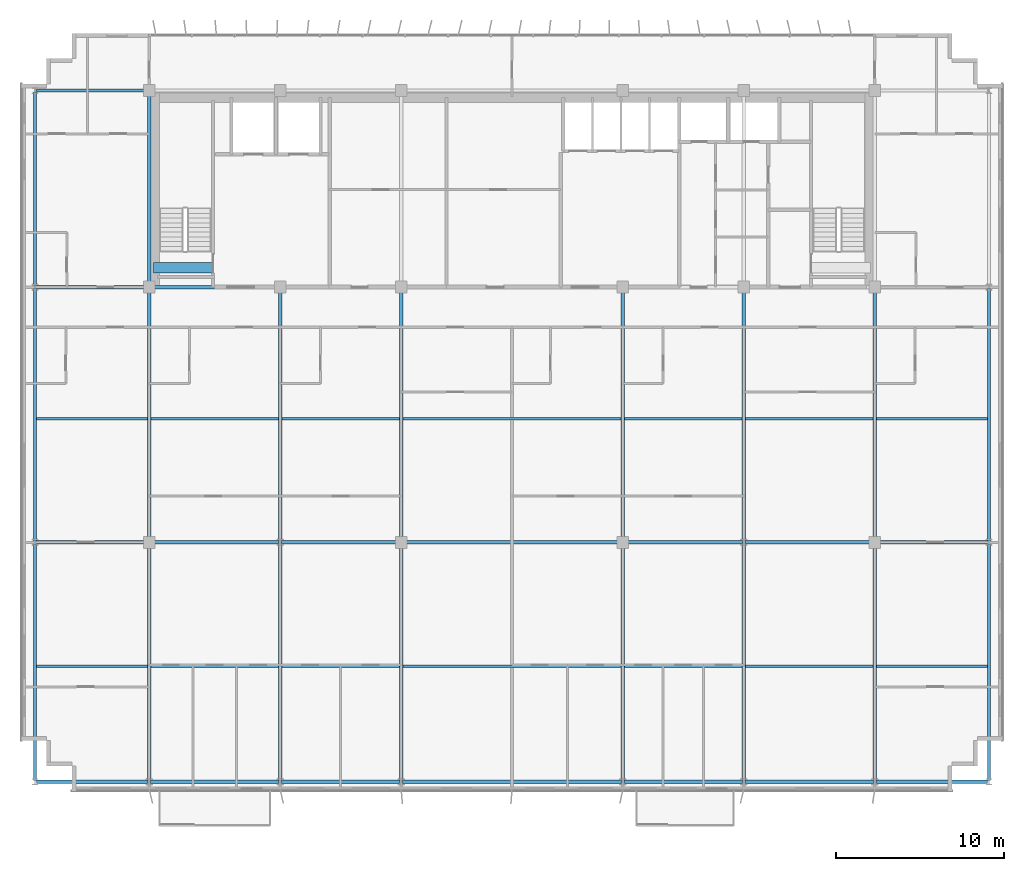
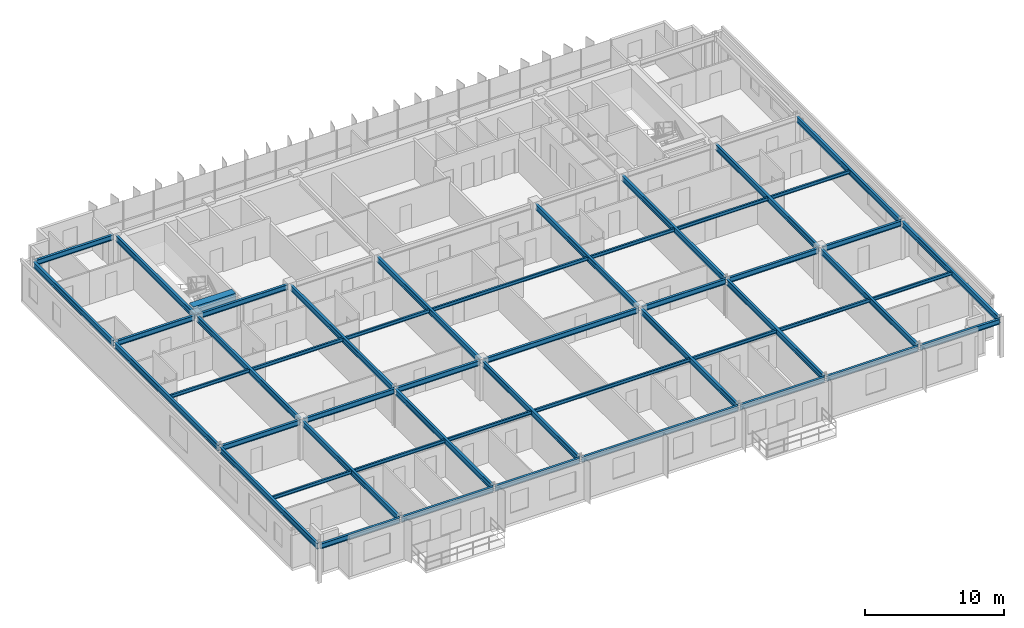
# One storey, part 5 of 23: 50 beams.
"""IFC4 building model written with IfcOpenShell, lengths in metres."""

from ifc_helpers import new_model, si_unit, direction, frame, origin, origin_2d, place, context, subcontext, project, spatial, rectangle, i_section, extrude, source, transform, mapped, material, material_profile, profile_set, type_object, element, save


model = new_model("IFC4")

# Units and contexts
model_context = context("Model", 3, precision=1e-05, world=origin(), true_north=direction((0.0, 1.0)))
body_context = subcontext(model_context, "Body", "Model", "MODEL_VIEW")
ifc_project = project(units=[si_unit("LENGTHUNIT", "METRE"), si_unit("AREAUNIT", "SQUARE_METRE"), si_unit("VOLUMEUNIT", "CUBIC_METRE"), si_unit("PLANEANGLEUNIT", "RADIAN"), si_unit("MASSUNIT", "GRAM", prefix="KILO")], contexts=[model_context])

# Site, building, storey
site_placement = place(None, origin())
site = spatial("IfcSite", under=ifc_project, at=site_placement, CompositionType="ELEMENT")
building_placement = place(site_placement, origin())
building = spatial("IfcBuilding", under=site, at=building_placement, Name="Trelvane Seafront Commons", CompositionType="ELEMENT")
storey_placement = place(building_placement, frame((0.0, 0.0, 222.89990234375)))
storey = spatial("IfcBuildingStorey", under=building, at=storey_placement, Name="L58", CompositionType="ELEMENT", Elevation=222.89990234375)

# Beams
ifc_material_1 = material(Name="Concrete C60/75", Category="concrete")
ifc_material_profile_1 = material_profile(ifc_material_1, rectangle(XDim=0.60009765625, YDim=0.89990234375, at=origin_2d()), Name="RC-600x900")
ifc_profile_set_1 = profile_set([ifc_material_profile_1], Name="Concrete C60/75")
beam_type_1 = type_object("IfcBeamType", Name="STR-LNT-RC600x900", PredefinedType="LINTEL", material=ifc_profile_set_1)
shared_shape_1 = source(origin(), body_context, "Body", "SweptSolid", [
    extrude(rectangle(XDim=0.60009765625, YDim=0.89990234375, at=origin_2d()), origin(), (0.0, 0.0, 1.0), 3.5498046875),
])
beam_1_placement = place(storey_placement, frame((15.85009765625, 34.550048828125, 2.91015625), z_axis=(1.0, 0.0, 0.0), x_axis=(0.0, 1.0, 0.0)))
element("IfcBeam", 1, at=beam_1_placement, inside=storey, type_object=beam_type_1, Name="L58 Core Coupling Lintel Beam CB-67", PredefinedType="LINTEL", context=body_context, shape_type="MappedRepresentation", body=[
    mapped(shared_shape_1, transform((0.0, 0.0, 0.0), x_axis=(1.0, 0.0, 0.0), y_axis=(0.0, 1.0, 0.0), z_axis=(0.0, 0.0, 1.0), scale=1.0)),
])
ifc_material_2 = material(Name="Steel SM355 (S355)", Category="steel")
ifc_material_profile_2 = material_profile(ifc_material_2, i_section(OverallWidth=0.199951171875, OverallDepth=0.5, WebThickness=0.010009765625, FlangeThickness=0.01611328125, at=origin_2d()), Name="H-500x200x10x16")
ifc_profile_set_2 = profile_set([ifc_material_profile_2], Name="Steel SM355 (S355)")
beam_type_2 = type_object("IfcBeamType", Name="STR-BM-H500", PredefinedType="BEAM", material=ifc_profile_set_2)
shared_shape_2 = source(origin(), body_context, "Body", "SweptSolid", [
    extrude(i_section(OverallWidth=0.199951171875, OverallDepth=0.5, WebThickness=0.010009765625, FlangeThickness=0.01611328125, at=origin_2d()), origin(), (0.0, 0.0, 1.0), 14.89990234375),
])
for number, where, z_axis, x_axis, name in (
    (2, (15.60009765625, 18.35009765625, 3.110107421875), (0.0, 1.0, 0.0), (-1.0, 0.0, 0.0), "L58 Primary Girder G-33"),
    (3, (30.60009765625, 18.35009765625, 3.110107421875), (0.0, 1.0, 0.0), (-1.0, 0.0, 0.0), "L58 Primary Girder G-39"),
    (4, (43.800048828125, 18.35009765625, 3.110107421875), (0.0, 1.0, 0.0), (-1.0, 0.0, 0.0), "L58 Primary Girder G-42"),
    (5, (58.800048828125, 18.35009765625, 3.110107421875), (0.0, 1.0, 0.0), (-1.0, 0.0, 0.0), "L58 Primary Girder G-48"),
):
    element("IfcBeam", number, at=place(storey_placement, frame(where, z_axis=z_axis, x_axis=x_axis)), inside=storey, type_object=beam_type_2, Name=name, PredefinedType="BEAM", context=body_context, shape_type="MappedRepresentation", body=[
        mapped(shared_shape_2, transform((0.0, 0.0, 0.0), x_axis=(1.0, 0.0, 0.0), y_axis=(0.0, 1.0, 0.0), z_axis=(0.0, 0.0, 1.0), scale=1.0)),
    ])
shared_shape_3 = source(origin(), body_context, "Body", "SweptSolid", [
    extrude(i_section(OverallWidth=0.199951171875, OverallDepth=0.5, WebThickness=0.010009765625, FlangeThickness=0.01611328125, at=origin_2d()), origin(), (0.0, 0.0, 1.0), 11.39990234375),
])
beam_2_placement = place(storey_placement, frame((15.60009765625, 33.550048828125, 3.110107421875), z_axis=(0.0, 1.0, 0.0), x_axis=(-1.0, 0.0, 0.0)))
element("IfcBeam", 6, at=beam_2_placement, inside=storey, type_object=beam_type_2, Name="L58 Primary Girder G-34", PredefinedType="BEAM", context=body_context, shape_type="MappedRepresentation", body=[
    mapped(shared_shape_3, transform((0.0, 0.0, 0.0), x_axis=(1.0, 0.0, 0.0), y_axis=(0.0, 1.0, 0.0), z_axis=(0.0, 0.0, 1.0), scale=1.0)),
])
ifc_material_profile_3 = material_profile(ifc_material_2, i_section(OverallWidth=0.199951171875, OverallDepth=0.449951171875, WebThickness=0.009033203125, FlangeThickness=0.013916015625, at=origin_2d()), Name="H-450x200x9x14")
ifc_profile_set_3 = profile_set([ifc_material_profile_3], Name="Steel SM355 (S355)")
beam_type_3 = type_object("IfcBeamType", Name="STR-SPD-H450", PredefinedType="SPANDREL", material=ifc_profile_set_3)
shared_shape_4 = source(origin(), body_context, "Body", "SweptSolid", [
    extrude(i_section(OverallWidth=0.199951171875, OverallDepth=0.449951171875, WebThickness=0.009033203125, FlangeThickness=0.013916015625, at=origin_2d()), origin(), (0.0, 0.0, 1.0), 6.625),
])
for number, where, z_axis, x_axis, name in (
    (7, (8.887451171875, 3.949951171875, 3.135009765625), (1.0, 0.0, 0.0), (0.0, 1.0, 0.0), "L58 Primary Girder G-01"),
    (8, (58.887451171875, 3.949951171875, 3.135009765625), (1.0, 0.0, 0.0), (0.0, 1.0, 0.0), "L58 Primary Girder G-07"),
):
    element("IfcBeam", number, at=place(storey_placement, frame(where, z_axis=z_axis, x_axis=x_axis)), inside=storey, type_object=beam_type_3, Name=name, PredefinedType="SPANDREL", context=body_context, shape_type="MappedRepresentation", body=[
        mapped(shared_shape_4, transform((0.0, 0.0, 0.0), x_axis=(1.0, 0.0, 0.0), y_axis=(0.0, 1.0, 0.0), z_axis=(0.0, 0.0, 1.0), scale=1.0)),
    ])
shared_shape_5 = source(origin(), body_context, "Body", "SweptSolid", [
    extrude(i_section(OverallWidth=0.199951171875, OverallDepth=0.449951171875, WebThickness=0.009033203125, FlangeThickness=0.013916015625, at=origin_2d()), origin(), (0.0, 0.0, 1.0), 7.625),
])
for number, where, z_axis, x_axis, name in (
    (9, (15.6875, 3.949951171875, 3.135009765625), (1.0, 0.0, 0.0), (0.0, 1.0, 0.0), "L58 Primary Girder G-02"),
    (10, (51.08740234375, 3.949951171875, 3.135009765625), (1.0, 0.0, 0.0), (0.0, 1.0, 0.0), "L58 Primary Girder G-06"),
):
    element("IfcBeam", number, at=place(storey_placement, frame(where, z_axis=z_axis, x_axis=x_axis)), inside=storey, type_object=beam_type_3, Name=name, PredefinedType="SPANDREL", context=body_context, shape_type="MappedRepresentation", body=[
        mapped(shared_shape_5, transform((0.0, 0.0, 0.0), x_axis=(1.0, 0.0, 0.0), y_axis=(0.0, 1.0, 0.0), z_axis=(0.0, 0.0, 1.0), scale=1.0)),
    ])
shared_shape_6 = source(origin(), body_context, "Body", "SweptSolid", [
    extrude(i_section(OverallWidth=0.199951171875, OverallDepth=0.449951171875, WebThickness=0.009033203125, FlangeThickness=0.013916015625, at=origin_2d()), origin(), (0.0, 0.0, 1.0), 7.02490234375),
])
beam_3_placement = place(storey_placement, frame((23.487548828125, 3.949951171875, 3.135009765625), z_axis=(1.0, 0.0, 0.0), x_axis=(0.0, 1.0, 0.0)))
element("IfcBeam", 11, at=beam_3_placement, inside=storey, type_object=beam_type_3, Name="L58 Primary Girder G-03", PredefinedType="SPANDREL", context=body_context, shape_type="MappedRepresentation", body=[
    mapped(shared_shape_6, transform((0.0, 0.0, 0.0), x_axis=(1.0, 0.0, 0.0), y_axis=(0.0, 1.0, 0.0), z_axis=(0.0, 0.0, 1.0), scale=1.0)),
])
shared_shape_7 = source(origin(), body_context, "Body", "SweptSolid", [
    extrude(i_section(OverallWidth=0.199951171875, OverallDepth=0.449951171875, WebThickness=0.009033203125, FlangeThickness=0.013916015625, at=origin_2d()), origin(), (0.0, 0.0, 1.0), 7.025146484375),
])
beam_4_placement = place(storey_placement, frame((43.887451171875, 3.949951171875, 3.135009765625), z_axis=(1.0, 0.0, 0.0), x_axis=(0.0, 1.0, 0.0)))
element("IfcBeam", 12, at=beam_4_placement, inside=storey, type_object=beam_type_3, Name="L58 Primary Girder G-05", PredefinedType="SPANDREL", context=body_context, shape_type="MappedRepresentation", body=[
    mapped(shared_shape_7, transform((0.0, 0.0, 0.0), x_axis=(1.0, 0.0, 0.0), y_axis=(0.0, 1.0, 0.0), z_axis=(0.0, 0.0, 1.0), scale=1.0)),
])
shared_shape_8 = source(origin(), body_context, "Body", "SweptSolid", [
    extrude(i_section(OverallWidth=0.199951171875, OverallDepth=0.449951171875, WebThickness=0.009033203125, FlangeThickness=0.013916015625, at=origin_2d()), origin(), (0.0, 0.0, 1.0), 6.5625),
])
for number, where, z_axis, x_axis, name in (
    (13, (8.887451171875, 18.199951171875, 3.135009765625), (1.0, 0.0, 0.0), (0.0, 1.0, 0.0), "L58 Primary Girder G-08"),
    (14, (58.949951171875, 18.199951171875, 3.135009765625), (1.0, 0.0, 0.0), (0.0, 1.0, 0.0), "L58 Primary Girder G-14"),
    (15, (8.887451171875, 33.39990234375, 3.135009765625), (1.0, 0.0, 0.0), (0.0, 1.0, 0.0), "L58 Primary Girder G-15"),
    (16, (8.887451171875, 45.10009765625, 3.135009765625), (1.0, 0.0, 0.0), (0.0, 1.0, 0.0), "L58 Primary Girder G-22"),
):
    element("IfcBeam", number, at=place(storey_placement, frame(where, z_axis=z_axis, x_axis=x_axis)), inside=storey, type_object=beam_type_3, Name=name, PredefinedType="SPANDREL", context=body_context, shape_type="MappedRepresentation", body=[
        mapped(shared_shape_8, transform((0.0, 0.0, 0.0), x_axis=(1.0, 0.0, 0.0), y_axis=(0.0, 1.0, 0.0), z_axis=(0.0, 0.0, 1.0), scale=1.0)),
    ])
shared_shape_9 = source(origin(), body_context, "Body", "SweptSolid", [
    extrude(i_section(OverallWidth=0.199951171875, OverallDepth=0.449951171875, WebThickness=0.009033203125, FlangeThickness=0.013916015625, at=origin_2d()), origin(), (0.0, 0.0, 1.0), 7.5625),
])
for number, where, z_axis, x_axis, name in (
    (17, (15.75, 18.199951171875, 3.135009765625), (1.0, 0.0, 0.0), (0.0, 1.0, 0.0), "L58 Primary Girder G-09"),
    (18, (51.08740234375, 18.199951171875, 3.135009765625), (1.0, 0.0, 0.0), (0.0, 1.0, 0.0), "L58 Primary Girder G-13"),
):
    element("IfcBeam", number, at=place(storey_placement, frame(where, z_axis=z_axis, x_axis=x_axis)), inside=storey, type_object=beam_type_3, Name=name, PredefinedType="SPANDREL", context=body_context, shape_type="MappedRepresentation", body=[
        mapped(shared_shape_9, transform((0.0, 0.0, 0.0), x_axis=(1.0, 0.0, 0.0), y_axis=(0.0, 1.0, 0.0), z_axis=(0.0, 0.0, 1.0), scale=1.0)),
    ])
shared_shape_10 = source(origin(), body_context, "Body", "SweptSolid", [
    extrude(i_section(OverallWidth=0.199951171875, OverallDepth=0.449951171875, WebThickness=0.009033203125, FlangeThickness=0.013916015625, at=origin_2d()), origin(), (0.0, 0.0, 1.0), 6.96240234375),
])
beam_5_placement = place(storey_placement, frame((23.487548828125, 18.199951171875, 3.135009765625), z_axis=(1.0, 0.0, 0.0), x_axis=(0.0, 1.0, 0.0)))
element("IfcBeam", 19, at=beam_5_placement, inside=storey, type_object=beam_type_3, Name="L58 Primary Girder G-10", PredefinedType="SPANDREL", context=body_context, shape_type="MappedRepresentation", body=[
    mapped(shared_shape_10, transform((0.0, 0.0, 0.0), x_axis=(1.0, 0.0, 0.0), y_axis=(0.0, 1.0, 0.0), z_axis=(0.0, 0.0, 1.0), scale=1.0)),
])
shared_shape_11 = source(origin(), body_context, "Body", "SweptSolid", [
    extrude(i_section(OverallWidth=0.199951171875, OverallDepth=0.449951171875, WebThickness=0.009033203125, FlangeThickness=0.013916015625, at=origin_2d()), origin(), (0.0, 0.0, 1.0), 6.962646484375),
])
beam_6_placement = place(storey_placement, frame((43.949951171875, 18.199951171875, 3.135009765625), z_axis=(1.0, 0.0, 0.0), x_axis=(0.0, 1.0, 0.0)))
element("IfcBeam", 20, at=beam_6_placement, inside=storey, type_object=beam_type_3, Name="L58 Primary Girder G-12", PredefinedType="SPANDREL", context=body_context, shape_type="MappedRepresentation", body=[
    mapped(shared_shape_11, transform((0.0, 0.0, 0.0), x_axis=(1.0, 0.0, 0.0), y_axis=(0.0, 1.0, 0.0), z_axis=(0.0, 0.0, 1.0), scale=1.0)),
])
shared_shape_12 = source(origin(), body_context, "Body", "SweptSolid", [
    extrude(i_section(OverallWidth=0.199951171875, OverallDepth=0.449951171875, WebThickness=0.009033203125, FlangeThickness=0.013916015625, at=origin_2d()), origin(), (0.0, 0.0, 1.0), 7.5),
])
beam_7_placement = place(storey_placement, frame((15.75, 33.39990234375, 3.135009765625), z_axis=(1.0, 0.0, 0.0), x_axis=(0.0, 1.0, 0.0)))
element("IfcBeam", 21, at=beam_7_placement, inside=storey, type_object=beam_type_3, Name="L58 Primary Girder G-16", PredefinedType="SPANDREL", context=body_context, shape_type="MappedRepresentation", body=[
    mapped(shared_shape_12, transform((0.0, 0.0, 0.0), x_axis=(1.0, 0.0, 0.0), y_axis=(0.0, 1.0, 0.0), z_axis=(0.0, 0.0, 1.0), scale=1.0)),
])
shared_shape_13 = source(origin(), body_context, "Body", "SweptSolid", [
    extrude(i_section(OverallWidth=0.199951171875, OverallDepth=0.449951171875, WebThickness=0.009033203125, FlangeThickness=0.013916015625, at=origin_2d()), origin(), (0.0, 0.0, 1.0), 12.89990234375),
])
beam_8_placement = place(storey_placement, frame((30.75, 18.199951171875, 3.135009765625), z_axis=(1.0, 0.0, 0.0), x_axis=(0.0, 1.0, 0.0)))
element("IfcBeam", 22, at=beam_8_placement, inside=storey, type_object=beam_type_3, Name="L58 Primary Girder G-11", PredefinedType="SPANDREL", context=body_context, shape_type="MappedRepresentation", body=[
    mapped(shared_shape_13, transform((0.0, 0.0, 0.0), x_axis=(1.0, 0.0, 0.0), y_axis=(0.0, 1.0, 0.0), z_axis=(0.0, 0.0, 1.0), scale=1.0)),
])
shared_shape_14 = source(origin(), body_context, "Body", "SweptSolid", [
    extrude(i_section(OverallWidth=0.199951171875, OverallDepth=0.5, WebThickness=0.010009765625, FlangeThickness=0.01611328125, at=origin_2d()), origin(), (0.0, 0.0, 1.0), 14.074951171875),
])
for number, where, z_axis, x_axis, name in (
    (23, (8.800048828125, 4.03759765625, 3.110107421875), (0.0, 1.0, 0.0), (-1.0, 0.0, 0.0), "L58 Primary Girder G-29"),
    (24, (23.39990234375, 4.03759765625, 3.110107421875), (0.0, 1.0, 0.0), (-1.0, 0.0, 0.0), "L58 Primary Girder G-35"),
    (25, (51.0, 4.03759765625, 3.110107421875), (0.0, 1.0, 0.0), (-1.0, 0.0, 0.0), "L58 Primary Girder G-44"),
    (26, (65.60009765625, 4.03759765625, 3.110107421875), (0.0, 1.0, 0.0), (-1.0, 0.0, 0.0), "L58 Primary Girder G-50"),
):
    element("IfcBeam", number, at=place(storey_placement, frame(where, z_axis=z_axis, x_axis=x_axis)), inside=storey, type_object=beam_type_2, Name=name, PredefinedType="BEAM", context=body_context, shape_type="MappedRepresentation", body=[
        mapped(shared_shape_14, transform((0.0, 0.0, 0.0), x_axis=(1.0, 0.0, 0.0), y_axis=(0.0, 1.0, 0.0), z_axis=(0.0, 0.0, 1.0), scale=1.0)),
    ])
shared_shape_15 = source(origin(), body_context, "Body", "SweptSolid", [
    extrude(i_section(OverallWidth=0.199951171875, OverallDepth=0.5, WebThickness=0.010009765625, FlangeThickness=0.01611328125, at=origin_2d()), origin(), (0.0, 0.0, 1.0), 15.02490234375),
])
for number, where, z_axis, x_axis, name in (
    (27, (8.800048828125, 18.28759765625, 3.110107421875), (0.0, 1.0, 0.0), (-1.0, 0.0, 0.0), "L58 Primary Girder G-30"),
    (28, (65.60009765625, 18.28759765625, 3.110107421875), (0.0, 1.0, 0.0), (-1.0, 0.0, 0.0), "L58 Primary Girder G-51"),
):
    element("IfcBeam", number, at=place(storey_placement, frame(where, z_axis=z_axis, x_axis=x_axis)), inside=storey, type_object=beam_type_2, Name=name, PredefinedType="BEAM", context=body_context, shape_type="MappedRepresentation", body=[
        mapped(shared_shape_15, transform((0.0, 0.0, 0.0), x_axis=(1.0, 0.0, 0.0), y_axis=(0.0, 1.0, 0.0), z_axis=(0.0, 0.0, 1.0), scale=1.0)),
    ])
shared_shape_16 = source(origin(), body_context, "Body", "SweptSolid", [
    extrude(i_section(OverallWidth=0.199951171875, OverallDepth=0.5, WebThickness=0.010009765625, FlangeThickness=0.01611328125, at=origin_2d()), origin(), (0.0, 0.0, 1.0), 11.52490234375),
])
beam_9_placement = place(storey_placement, frame((8.800048828125, 33.487548828125, 3.110107421875), z_axis=(0.0, 1.0, 0.0), x_axis=(-1.0, 0.0, 0.0)))
element("IfcBeam", 29, at=beam_9_placement, inside=storey, type_object=beam_type_2, Name="L58 Primary Girder G-31", PredefinedType="BEAM", context=body_context, shape_type="MappedRepresentation", body=[
    mapped(shared_shape_16, transform((0.0, 0.0, 0.0), x_axis=(1.0, 0.0, 0.0), y_axis=(0.0, 1.0, 0.0), z_axis=(0.0, 0.0, 1.0), scale=1.0)),
])
shared_shape_17 = source(origin(), body_context, "Body", "SweptSolid", [
    extrude(i_section(OverallWidth=0.199951171875, OverallDepth=0.5, WebThickness=0.010009765625, FlangeThickness=0.01611328125, at=origin_2d()), origin(), (0.0, 0.0, 1.0), 14.012451171875),
])
for number, where, z_axis, x_axis, name in (
    (30, (15.60009765625, 4.03759765625, 3.110107421875), (0.0, 1.0, 0.0), (-1.0, 0.0, 0.0), "L58 Primary Girder G-32"),
    (31, (30.60009765625, 4.03759765625, 3.110107421875), (0.0, 1.0, 0.0), (-1.0, 0.0, 0.0), "L58 Primary Girder G-38"),
    (32, (43.800048828125, 4.03759765625, 3.110107421875), (0.0, 1.0, 0.0), (-1.0, 0.0, 0.0), "L58 Primary Girder G-41"),
    (33, (58.800048828125, 4.03759765625, 3.110107421875), (0.0, 1.0, 0.0), (-1.0, 0.0, 0.0), "L58 Primary Girder G-47"),
):
    element("IfcBeam", number, at=place(storey_placement, frame(where, z_axis=z_axis, x_axis=x_axis)), inside=storey, type_object=beam_type_2, Name=name, PredefinedType="BEAM", context=body_context, shape_type="MappedRepresentation", body=[
        mapped(shared_shape_17, transform((0.0, 0.0, 0.0), x_axis=(1.0, 0.0, 0.0), y_axis=(0.0, 1.0, 0.0), z_axis=(0.0, 0.0, 1.0), scale=1.0)),
    ])
shared_shape_18 = source(origin(), body_context, "Body", "SweptSolid", [
    extrude(i_section(OverallWidth=0.199951171875, OverallDepth=0.5, WebThickness=0.010009765625, FlangeThickness=0.01611328125, at=origin_2d()), origin(), (0.0, 0.0, 1.0), 14.96240234375),
])
for number, where, z_axis, x_axis, name in (
    (34, (23.39990234375, 18.28759765625, 3.110107421875), (0.0, 1.0, 0.0), (-1.0, 0.0, 0.0), "L58 Primary Girder G-36"),
    (35, (51.0, 18.28759765625, 3.110107421875), (0.0, 1.0, 0.0), (-1.0, 0.0, 0.0), "L58 Primary Girder G-45"),
):
    element("IfcBeam", number, at=place(storey_placement, frame(where, z_axis=z_axis, x_axis=x_axis)), inside=storey, type_object=beam_type_2, Name=name, PredefinedType="BEAM", context=body_context, shape_type="MappedRepresentation", body=[
        mapped(shared_shape_18, transform((0.0, 0.0, 0.0), x_axis=(1.0, 0.0, 0.0), y_axis=(0.0, 1.0, 0.0), z_axis=(0.0, 0.0, 1.0), scale=1.0)),
    ])
ifc_material_profile_4 = material_profile(ifc_material_2, i_section(OverallWidth=0.14990234375, OverallDepth=0.300048828125, WebThickness=0.006591796875, FlangeThickness=0.009033203125, at=origin_2d()), Name="H-300x150x6.5x9")
ifc_profile_set_4 = profile_set([ifc_material_profile_4], Name="Steel SM355 (S355)")
beam_type_4 = type_object("IfcBeamType", Name="STR-JST-H300", PredefinedType="JOIST", material=ifc_profile_set_4)
shared_shape_19 = source(origin(), body_context, "Body", "SweptSolid", [
    extrude(i_section(OverallWidth=0.14990234375, OverallDepth=0.300048828125, WebThickness=0.006591796875, FlangeThickness=0.009033203125, at=origin_2d()), origin(), (0.0, 0.0, 1.0), 6.60009765625),
])
for number, where, z_axis, x_axis, name in (
    (36, (8.89990234375, 10.824951171875, 3.210205078125), (1.0, 0.0, 0.0), (0.0, 1.0, 0.0), "L58 Secondary Floor Joist B-53"),
    (37, (58.89990234375, 10.824951171875, 3.210205078125), (1.0, 0.0, 0.0), (0.0, 1.0, 0.0), "L58 Secondary Floor Joist B-59"),
    (38, (8.89990234375, 25.550048828125, 3.210205078125), (1.0, 0.0, 0.0), (0.0, 1.0, 0.0), "L58 Secondary Floor Joist B-60"),
    (39, (58.89990234375, 25.550048828125, 3.210205078125), (1.0, 0.0, 0.0), (0.0, 1.0, 0.0), "L58 Secondary Floor Joist B-66"),
):
    element("IfcBeam", number, at=place(storey_placement, frame(where, z_axis=z_axis, x_axis=x_axis)), inside=storey, type_object=beam_type_4, Name=name, PredefinedType="JOIST", context=body_context, shape_type="MappedRepresentation", body=[
        mapped(shared_shape_19, transform((0.0, 0.0, 0.0), x_axis=(1.0, 0.0, 0.0), y_axis=(0.0, 1.0, 0.0), z_axis=(0.0, 0.0, 1.0), scale=1.0)),
    ])
shared_shape_20 = source(origin(), body_context, "Body", "SweptSolid", [
    extrude(i_section(OverallWidth=0.14990234375, OverallDepth=0.300048828125, WebThickness=0.006591796875, FlangeThickness=0.009033203125, at=origin_2d()), origin(), (0.0, 0.0, 1.0), 7.60009765625),
])
for number, where, z_axis, x_axis, name in (
    (40, (15.699951171875, 10.824951171875, 3.210205078125), (1.0, 0.0, 0.0), (0.0, 1.0, 0.0), "L58 Secondary Floor Joist B-54"),
    (41, (15.699951171875, 25.550048828125, 3.210205078125), (1.0, 0.0, 0.0), (0.0, 1.0, 0.0), "L58 Secondary Floor Joist B-61"),
):
    element("IfcBeam", number, at=place(storey_placement, frame(where, z_axis=z_axis, x_axis=x_axis)), inside=storey, type_object=beam_type_4, Name=name, PredefinedType="JOIST", context=body_context, shape_type="MappedRepresentation", body=[
        mapped(shared_shape_20, transform((0.0, 0.0, 0.0), x_axis=(1.0, 0.0, 0.0), y_axis=(0.0, 1.0, 0.0), z_axis=(0.0, 0.0, 1.0), scale=1.0)),
    ])
shared_shape_21 = source(origin(), body_context, "Body", "SweptSolid", [
    extrude(i_section(OverallWidth=0.14990234375, OverallDepth=0.300048828125, WebThickness=0.006591796875, FlangeThickness=0.009033203125, at=origin_2d()), origin(), (0.0, 0.0, 1.0), 7.0),
])
for number, where, z_axis, x_axis, name in (
    (42, (23.5, 10.824951171875, 3.210205078125), (1.0, 0.0, 0.0), (0.0, 1.0, 0.0), "L58 Secondary Floor Joist B-55"),
    (43, (43.89990234375, 10.824951171875, 3.210205078125), (1.0, 0.0, 0.0), (0.0, 1.0, 0.0), "L58 Secondary Floor Joist B-57"),
    (44, (23.5, 25.550048828125, 3.210205078125), (1.0, 0.0, 0.0), (0.0, 1.0, 0.0), "L58 Secondary Floor Joist B-62"),
    (45, (43.89990234375, 25.550048828125, 3.210205078125), (1.0, 0.0, 0.0), (0.0, 1.0, 0.0), "L58 Secondary Floor Joist B-64"),
):
    element("IfcBeam", number, at=place(storey_placement, frame(where, z_axis=z_axis, x_axis=x_axis)), inside=storey, type_object=beam_type_4, Name=name, PredefinedType="JOIST", context=body_context, shape_type="MappedRepresentation", body=[
        mapped(shared_shape_21, transform((0.0, 0.0, 0.0), x_axis=(1.0, 0.0, 0.0), y_axis=(0.0, 1.0, 0.0), z_axis=(0.0, 0.0, 1.0), scale=1.0)),
    ])
shared_shape_22 = source(origin(), body_context, "Body", "SweptSolid", [
    extrude(i_section(OverallWidth=0.14990234375, OverallDepth=0.300048828125, WebThickness=0.006591796875, FlangeThickness=0.009033203125, at=origin_2d()), origin(), (0.0, 0.0, 1.0), 7.599853515625),
])
for number, where, z_axis, x_axis, name in (
    (46, (51.10009765625, 10.824951171875, 3.210205078125), (1.0, 0.0, 0.0), (0.0, 1.0, 0.0), "L58 Secondary Floor Joist B-58"),
    (47, (51.10009765625, 25.550048828125, 3.210205078125), (1.0, 0.0, 0.0), (0.0, 1.0, 0.0), "L58 Secondary Floor Joist B-65"),
):
    element("IfcBeam", number, at=place(storey_placement, frame(where, z_axis=z_axis, x_axis=x_axis)), inside=storey, type_object=beam_type_4, Name=name, PredefinedType="JOIST", context=body_context, shape_type="MappedRepresentation", body=[
        mapped(shared_shape_22, transform((0.0, 0.0, 0.0), x_axis=(1.0, 0.0, 0.0), y_axis=(0.0, 1.0, 0.0), z_axis=(0.0, 0.0, 1.0), scale=1.0)),
    ])
shared_shape_23 = source(origin(), body_context, "Body", "SweptSolid", [
    extrude(i_section(OverallWidth=0.14990234375, OverallDepth=0.300048828125, WebThickness=0.006591796875, FlangeThickness=0.009033203125, at=origin_2d()), origin(), (0.0, 0.0, 1.0), 13.0),
])
for number, where, z_axis, x_axis, name in (
    (48, (30.699951171875, 10.824951171875, 3.210205078125), (1.0, 0.0, 0.0), (0.0, 1.0, 0.0), "L58 Secondary Floor Joist B-56"),
    (49, (30.699951171875, 25.550048828125, 3.210205078125), (1.0, 0.0, 0.0), (0.0, 1.0, 0.0), "L58 Secondary Floor Joist B-63"),
):
    element("IfcBeam", number, at=place(storey_placement, frame(where, z_axis=z_axis, x_axis=x_axis)), inside=storey, type_object=beam_type_4, Name=name, PredefinedType="JOIST", context=body_context, shape_type="MappedRepresentation", body=[
        mapped(shared_shape_23, transform((0.0, 0.0, 0.0), x_axis=(1.0, 0.0, 0.0), y_axis=(0.0, 1.0, 0.0), z_axis=(0.0, 0.0, 1.0), scale=1.0)),
    ])
shared_shape_24 = source(origin(), body_context, "Body", "SweptSolid", [
    extrude(i_section(OverallWidth=0.199951171875, OverallDepth=0.449951171875, WebThickness=0.009033203125, FlangeThickness=0.013916015625, at=origin_2d()), origin(), (0.0, 0.0, 1.0), 13.02490234375),
])
beam_10_placement = place(storey_placement, frame((30.6875, 3.949951171875, 3.135009765625), z_axis=(1.0, 0.0, 0.0), x_axis=(0.0, 1.0, 0.0)))
element("IfcBeam", 50, at=beam_10_placement, inside=storey, type_object=beam_type_3, Name="L58 Primary Girder G-04", PredefinedType="SPANDREL", context=body_context, shape_type="MappedRepresentation", body=[
    mapped(shared_shape_24, transform((0.0, 0.0, 0.0), x_axis=(1.0, 0.0, 0.0), y_axis=(0.0, 1.0, 0.0), z_axis=(0.0, 0.0, 1.0), scale=1.0)),
])

save(model, "model.ifc")
